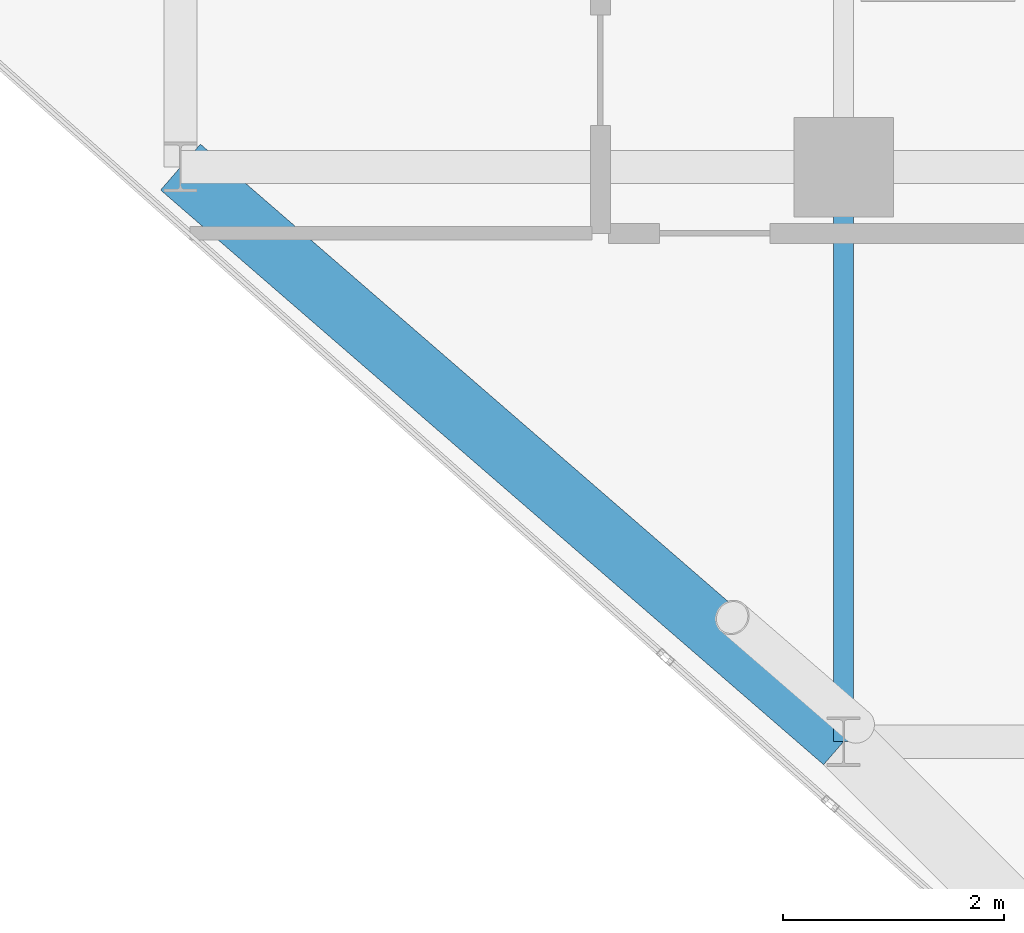
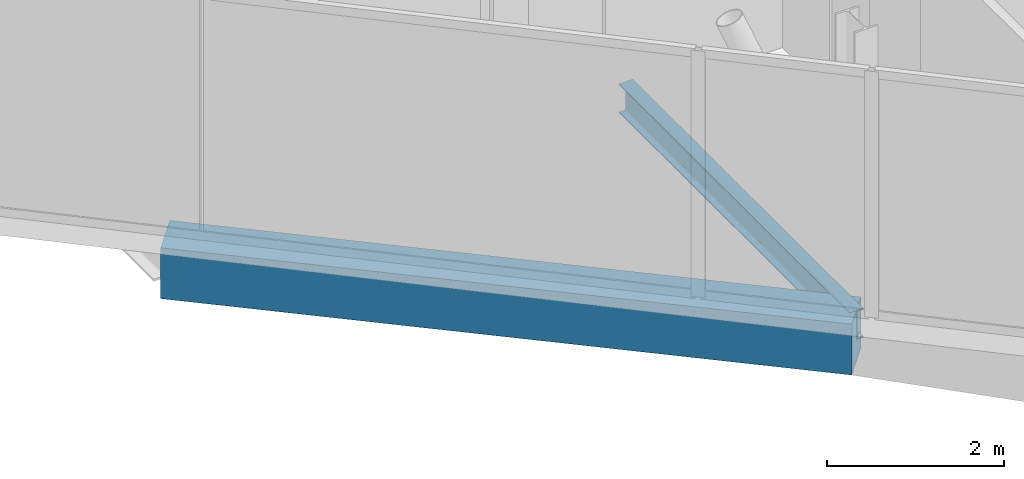
# One storey, part 5 of 29: 2 beams.
"""IFC4 building model written with IfcOpenShell, lengths in metres."""

import ifcopenshell
import ifcopenshell.guid

model = None  # the IFC model being written
_history = None  # IfcOwnerHistory: only IFC2X3 demands one
_inside = {}  # id of a spatial element -> (the spatial element, [elements in it])
_under = {}  # id of a project, library or spatial element -> (it, [spatial elements below it])
_declared = {}  # id of a project -> (the project, [libraries it declares])
_typed = {}  # id of a type object -> (the type object, [elements of that type])
_made_of = {}  # id of a material, layer set ... -> (it, [elements and type objects made of it])


def new_model(schema):
    """Start an empty IFC model of exactly this schema.

    Asked for "IFC4X3", IfcOpenShell would pick the latest addendum, in which some entities
    have other attributes; the version numbers below select the first issue.
    IFC2X3 requires an IfcOwnerHistory on every rooted entity: one is made here for all.
    """
    global model, _history
    if schema == "IFC4X3":
        model = ifcopenshell.file(schema_version=(4, 3, 0, 0))
    else:
        model = ifcopenshell.file(schema=schema)
    _inside.clear()
    _under.clear()
    _declared.clear()
    _typed.clear()
    _made_of.clear()
    _history = None
    if model.schema == "IFC2X3":
        org = make("IfcOrganization", Name="unknown")
        user = make(
            "IfcPersonAndOrganization",
            ThePerson=make("IfcPerson", FamilyName="unknown"),
            TheOrganization=org,
        )
        app = make(
            "IfcApplication",
            ApplicationDeveloper=org,
            Version="unknown",
            ApplicationFullName="unknown",
            ApplicationIdentifier="unknown",
        )
        _history = make(
            "IfcOwnerHistory",
            OwningUser=user,
            OwningApplication=app,
            ChangeAction="ADDED",
            CreationDate=0,
        )
    return model


def make(cls, **values):
    """One entity of the class cls with the attributes given. An attribute that is None is left unset."""
    return model.create_entity(
        cls, **{name: value for name, value in values.items() if value is not None}
    )


def rooted(cls, **values):
    """An entity with a GlobalId (a new one), such as an element, a storey or a relation."""
    return make(cls, GlobalId=ifcopenshell.guid.new(), OwnerHistory=_history, **values)


def si_unit(unit_type, name, prefix=None):
    """IfcSIUnit, for example si_unit("LENGTHUNIT", "METRE", prefix="MILLI")."""
    return make("IfcSIUnit", UnitType=unit_type, Prefix=prefix, Name=name)


def assignment(units):
    """IfcUnitAssignment: the units of a project."""
    return None if units is None else make("IfcUnitAssignment", Units=units)


def point(xyz):
    """IfcCartesianPoint."""
    return None if xyz is None else make("IfcCartesianPoint", Coordinates=xyz)


def direction(xyz):
    """IfcDirection."""
    return None if xyz is None else make("IfcDirection", DirectionRatios=xyz)


def frame(location, z_axis=None, x_axis=None):
    """IfcAxis2Placement3D, a coordinate frame: its origin and axes. An axis left out is left unset."""
    return make(
        "IfcAxis2Placement3D",
        Location=point(location),
        Axis=direction(z_axis),
        RefDirection=direction(x_axis),
    )


def frame_2d(location, x_axis=None):
    """IfcAxis2Placement2D, a coordinate frame in the plane: its origin and x axis."""
    return make(
        "IfcAxis2Placement2D", Location=point(location), RefDirection=direction(x_axis)
    )


def origin():
    """The frame at (0, 0, 0) with its axes left unset."""
    return frame((0.0, 0.0, 0.0))


def origin_2d():
    """The frame at (0, 0) in the plane with its x axis left unset."""
    return frame_2d((0.0, 0.0))


def place(relative_to, where):
    """IfcLocalPlacement: puts the frame where relative to a parent placement (None: the world)."""
    return make(
        "IfcLocalPlacement", PlacementRelTo=relative_to, RelativePlacement=where
    )


def context(
    kind, dimensions, precision=None, world=None, true_north=None, identifier=None
):
    """IfcGeometricRepresentationContext, for example the 3D "Model" context."""
    return make(
        "IfcGeometricRepresentationContext",
        ContextIdentifier=identifier,
        ContextType=kind,
        CoordinateSpaceDimension=dimensions,
        Precision=precision,
        WorldCoordinateSystem=world,
        TrueNorth=true_north,
    )


def subcontext(parent, identifier, kind, view, scale=None):
    """IfcGeometricRepresentationSubContext, for example "Body" below "Model"."""
    return make(
        "IfcGeometricRepresentationSubContext",
        ContextIdentifier=identifier,
        ContextType=kind,
        ParentContext=parent,
        TargetScale=scale,
        TargetView=view,
    )


def project(units=None, contexts=None):
    """IfcProject with its units and contexts."""
    return rooted(
        "IfcProject",
        Name="project",
        RepresentationContexts=contexts,
        UnitsInContext=assignment(units),
    )


def spatial(cls, under=None, at=None, **own):
    """A site, building, storey or space (cls), placed at a placement, below another one or the project."""
    s = rooted(cls, ObjectPlacement=at, **own)
    if under is not None:
        _under.setdefault(under.id(), (under, []))[1].append(s)
    return s


def profile(cls, at=None, kind="AREA", **sizes):
    """A parametric profile (cls). Its sizes go by their IFC names, for example OverallWidth=200.0."""
    return make(cls, ProfileType=kind, Position=at, **sizes)


def rectangle(**sizes):
    """IfcRectangleProfileDef."""
    return profile("IfcRectangleProfileDef", **sizes)


def i_section(**sizes):
    """IfcIShapeProfileDef."""
    return profile("IfcIShapeProfileDef", **sizes)


def extrude(swept, where, along, depth):
    """IfcExtrudedAreaSolid: the profile swept, set in the frame where, extruded along a direction by depth."""
    return make(
        "IfcExtrudedAreaSolid",
        SweptArea=swept,
        Position=where,
        ExtrudedDirection=direction(along),
        Depth=depth,
    )


def shape(context_of_items, identifier, shape_type, items):
    """IfcShapeRepresentation: the items that make up one representation, for example the "Body"."""
    return make(
        "IfcShapeRepresentation",
        ContextOfItems=context_of_items,
        RepresentationIdentifier=identifier,
        RepresentationType=shape_type,
        Items=items,
    )


def material(Name=None, Category=None):
    """IfcMaterial."""
    return make("IfcMaterial", Name=Name, Category=Category)


def material_profile(
    of_material, cross_section, Name=None, Category=None, Priority=None
):
    """IfcMaterialProfile: a cross section and its material."""
    return make(
        "IfcMaterialProfile",
        Name=Name,
        Material=of_material,
        Profile=cross_section,
        Priority=Priority,
        Category=Category,
    )


def profile_set(profiles, Name=None, composite=None):
    """IfcMaterialProfileSet."""
    return make(
        "IfcMaterialProfileSet",
        Name=Name,
        MaterialProfiles=profiles,
        CompositeProfile=composite,
    )


def made_of(thing, what):
    """Note that an element or type object is made of a material, layer set ...; save() writes the relation."""
    if what is not None:
        _made_of.setdefault(what.id(), (what, []))[1].append(thing)
    return thing


def type_object(cls, material=None, **own):
    """A type object (cls), such as IfcWallType, which elements share."""
    return made_of(rooted(cls, **own), material)


def element(
    cls,
    number,
    at=None,
    inside=None,
    cuts=None,
    type_object=None,
    material=None,
    context=None,
    identifier="Body",
    shape_type=None,
    held_by="IfcProductDefinitionShape",
    body=None,
    shapes=None,
    **own,
):
    """One element of the class cls, such as IfcWall. Its Tag is "e" and its number.

    at: its placement. inside: the storey or other place that contains it. cuts: it is an
    opening in that element (IfcRelVoidsElement). A single representation is given by context,
    identifier, shape_type and body (its items); several are given by shapes. held_by: the class
    of the entity that holds the representations. save() writes the other relations.
    """
    e = rooted(cls, Tag="e%d" % number, ObjectPlacement=at, **own)
    if body is not None:
        shapes = [shape(context, identifier, shape_type, body)]
    if shapes is not None:
        e.Representation = make(held_by, Representations=shapes)
    if inside is not None:
        _inside.setdefault(inside.id(), (inside, []))[1].append(e)
    if cuts is not None:
        rooted(
            "IfcRelVoidsElement", RelatingBuildingElement=cuts, RelatedOpeningElement=e
        )
    if type_object is not None:
        _typed.setdefault(type_object.id(), (type_object, []))[1].append(e)
    return made_of(e, material)


def aggregate(whole, parts):
    """IfcRelAggregates: a whole, such as a stair, and the parts it consists of."""
    return rooted("IfcRelAggregates", RelatingObject=whole, RelatedObjects=parts)


def save(model, path):
    """Write the relations noted so far, then the file.

    IfcRelAggregates (storeys below a building ...), IfcRelContainedInSpatialStructure (elements
    in a storey), IfcRelDefinesByType, IfcRelAssociatesMaterial and IfcRelDeclares: one each for
    every whole, place, type object, material and project.
    """
    for whole, parts in _under.values():
        aggregate(whole, parts)
    for where, things in _inside.values():
        rooted(
            "IfcRelContainedInSpatialStructure",
            RelatedElements=things,
            RelatingStructure=where,
        )
    for kind, things in _typed.values():
        rooted("IfcRelDefinesByType", RelatedObjects=things, RelatingType=kind)
    for what, things in _made_of.values():
        rooted("IfcRelAssociatesMaterial", RelatedObjects=things, RelatingMaterial=what)
    for by, libraries in _declared.values():
        rooted("IfcRelDeclares", RelatingContext=by, RelatedDefinitions=libraries)
    model.write(path)


model = new_model("IFC4")

# Units and contexts
model_context = context("Model", 3, precision=1e-05, world=origin(), true_north=direction((0.0, 1.0)))
body_context = subcontext(model_context, "Body", "Model", "MODEL_VIEW")
ifc_project = project(units=[si_unit("LENGTHUNIT", "METRE"), si_unit("AREAUNIT", "SQUARE_METRE"), si_unit("VOLUMEUNIT", "CUBIC_METRE"), si_unit("PLANEANGLEUNIT", "RADIAN"), si_unit("MASSUNIT", "GRAM", prefix="KILO")], contexts=[model_context])

# Site, building, storey
site_placement = place(None, origin())
site = spatial("IfcSite", under=ifc_project, at=site_placement, CompositionType="ELEMENT")
building_placement = place(site_placement, origin())
building = spatial("IfcBuilding", under=site, at=building_placement, Name="Keshet Zoharim Tower", CompositionType="ELEMENT")
storey_placement = place(building_placement, frame((0.0, 0.0, 192.10009765625)))
storey = spatial("IfcBuildingStorey", under=building, at=storey_placement, Name="L47", CompositionType="ELEMENT", Elevation=192.10009765625)

# Beams
ifc_material_1 = material(Name="Steel S355", Category="steel")
ifc_material_profile_1 = material_profile(ifc_material_1, i_section(OverallWidth=0.179931640625, OverallDepth=0.39990234375, WebThickness=0.008544921875, FlangeThickness=0.013427734375, FilletRadius=0.02099609375, at=origin_2d()), Name="IPE400")
ifc_profile_set_1 = profile_set([ifc_material_profile_1], Name="Steel S355")
beam_type_1 = type_object("IfcBeamType", Name="BM-PRI-IP400", PredefinedType="BEAM", material=ifc_profile_set_1)
beam_1_placement = place(storey_placement, frame((15.0, 12.699951171875, -0.510009765625), z_axis=(0.0, 1.0, 0.0), x_axis=(-1.0, 0.0, 0.0)))
element("IfcBeam", 1, at=beam_1_placement, inside=storey, type_object=beam_type_1, Name="L47 Primary Girder Y-002", PredefinedType="BEAM", context=body_context, shape_type="SweptSolid", body=[
    extrude(i_section(OverallWidth=0.179931640625, OverallDepth=0.39990234375, WebThickness=0.008544921875, FlangeThickness=0.013427734375, FilletRadius=0.02099609375, at=origin_2d()), origin(), (0.0, 0.0, 1.0), 5.199951171875),
])
ifc_material_2 = material(Name="Concrete C50/60", Category="concrete")
ifc_material_profile_2 = material_profile(ifc_material_2, rectangle(XDim=0.550048828125, YDim=0.699951171875, at=origin_2d()), Name="RC700x550")
ifc_profile_set_2 = profile_set([ifc_material_profile_2], Name="Concrete C50/60")
beam_type_2 = type_object("IfcBeamType", Name="BM-SPN-700", PredefinedType="SPANDREL", material=ifc_profile_set_2)
beam_2_placement = place(storey_placement, frame((9.0, 17.89990234375, -0.66015625), z_axis=(0.755692126483, -0.654927026447, 0.0), x_axis=(0.654927026447, 0.755692126483, 0.0)))
element("IfcBeam", 2, at=beam_2_placement, inside=storey, type_object=beam_type_2, Name="L47 Perimeter Spandrel Beam 02", PredefinedType="SPANDREL", context=body_context, shape_type="SweptSolid", body=[
    extrude(rectangle(XDim=0.550048828125, YDim=0.699951171875, at=origin_2d()), origin(), (0.0, 0.0, 1.0), 7.939697265625),
])

save(model, "model.ifc")
